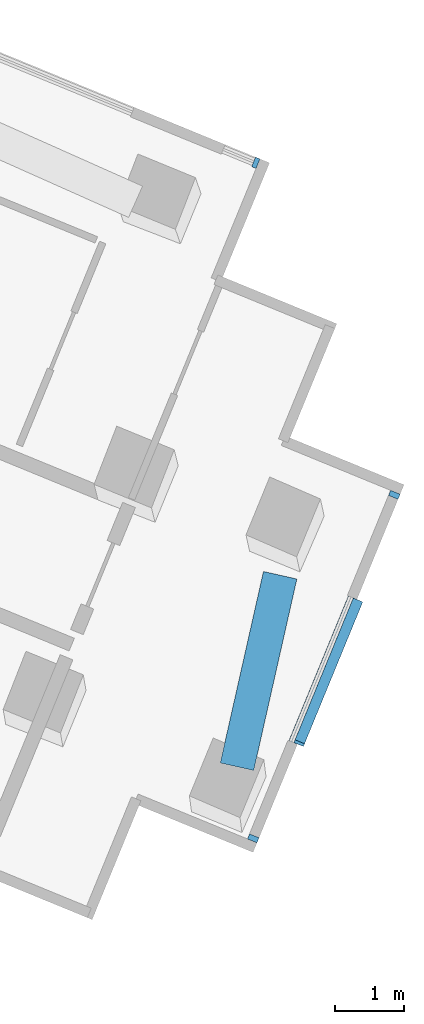
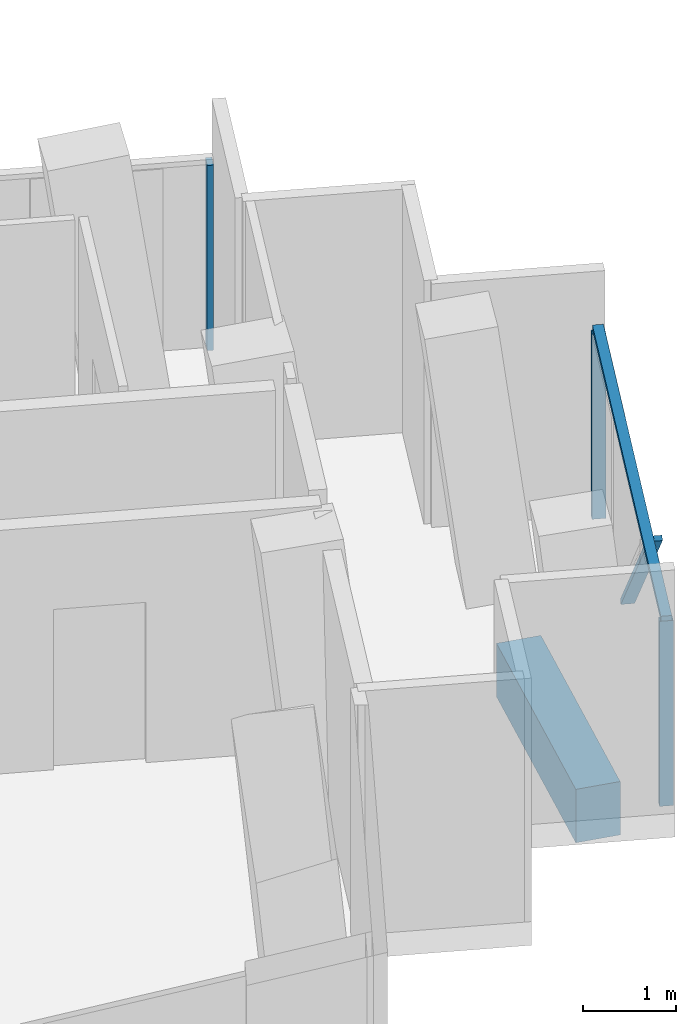
# One storey, part 11 of 27: 5 members, 1 beam, 2 elements without a shape of their own.
"""IFC4 building model written with IfcOpenShell, lengths in metres."""

from ifc_helpers import new_model, si_unit, direction, frame, origin, origin_2d, place, context, subcontext, project, spatial, rectangle, extrude, material, layer, layer_set, material_profile, profile_set, type_object, element, aggregate, save


model = new_model("IFC4")

# Units and contexts
model_context = context("Model", 3, precision=1e-05, world=origin(), true_north=direction((0.0, 1.0)))
body_context = subcontext(model_context, "Body", "Model", "MODEL_VIEW")
ifc_project = project(units=[si_unit("LENGTHUNIT", "METRE"), si_unit("AREAUNIT", "SQUARE_METRE"), si_unit("VOLUMEUNIT", "CUBIC_METRE"), si_unit("PLANEANGLEUNIT", "RADIAN"), si_unit("MASSUNIT", "GRAM", prefix="KILO")], contexts=[model_context])

# Site, building, storey
site_placement = place(None, origin())
site = spatial("IfcSite", under=ifc_project, at=site_placement, CompositionType="ELEMENT")
building_placement = place(site_placement, origin())
building = spatial("IfcBuilding", under=site, at=building_placement, Name="Verdalira Terraces Hotel", CompositionType="ELEMENT")
storey_placement = place(building_placement, frame((0.0, 0.0, 64.5)))
storey = spatial("IfcBuildingStorey", under=building, at=storey_placement, Name="L14", CompositionType="ELEMENT", Elevation=64.5)

# Curtain wall, member
ifc_material_1 = material(Name="Clear glass", Category="glass")
ifc_layer_1 = layer(ifc_material_1, 0.14990234375)
ifc_layer_set_1 = layer_set([ifc_layer_1], Name="CW2 curtain wall")
curtain_wall_type_1 = type_object("IfcCurtainWallType", Name="CW2 curtain wall", PredefinedType="NOTDEFINED", material=ifc_layer_set_1)
curtain_wall_1_placement = place(storey_placement, origin())
curtain_wall_1 = element("IfcCurtainWall", 1, at=curtain_wall_1_placement, inside=storey, type_object=curtain_wall_type_1, Name="CW2 curtain wall L14 edge 38", PredefinedType="NOTDEFINED")
ifc_material_2 = material(Name="Terracotta frame", Category="masonry")
ifc_material_profile_1 = material_profile(ifc_material_2, rectangle(XDim=0.070068, YDim=0.149902, at=origin_2d()), Name="MU 70x150")
ifc_profile_set_1 = profile_set([ifc_material_profile_1], Name="Terracotta frame")
member_type_1 = type_object("IfcMemberType", Name="CW2 mullion 70x150", PredefinedType="MULLION", material=ifc_profile_set_1)
member_1_placement = place(storey_placement, frame((33.609863, -6.852783, 0.0), z_axis=(0.0, 0.0, 1.0), x_axis=(-0.925077207, 0.379779096, 0.0)))
member_1 = element("IfcMember", 2, at=member_1_placement, type_object=member_type_1, Name="CW2 mullion", PredefinedType="MULLION", context=body_context, shape_type="SweptSolid", body=[
    extrude(rectangle(XDim=0.070068, YDim=0.149902, at=origin_2d()), origin(), (0.0, 0.0, 1.0), 2.425049),
])
aggregate(curtain_wall_1, [member_1])

# Curtain wall, members
ifc_material_3 = material(Name="Clear glass", Category="glass")
ifc_layer_2 = layer(ifc_material_3, 0.14990234375)
ifc_layer_set_2 = layer_set([ifc_layer_2], Name="CW3 curtain wall")
curtain_wall_type_2 = type_object("IfcCurtainWallType", Name="CW3 curtain wall", PredefinedType="NOTDEFINED", material=ifc_layer_set_2)
curtain_wall_2_placement = place(storey_placement, origin())
curtain_wall_2 = element("IfcCurtainWall", 3, at=curtain_wall_2_placement, inside=storey, type_object=curtain_wall_type_2, Name="CW3 curtain wall L14 edge 33", PredefinedType="NOTDEFINED")
ifc_material_4 = material(Name="Terracotta frame", Category="masonry")
ifc_material_profile_2 = material_profile(ifc_material_4, rectangle(XDim=0.080078, YDim=0.149902, at=origin_2d()), Name="MU 80x150")
ifc_profile_set_2 = profile_set([ifc_material_profile_2], Name="Terracotta frame")
member_type_2 = type_object("IfcMemberType", Name="CW3 mullion 80x150", PredefinedType="MULLION", material=ifc_profile_set_2)
member_2_placement = place(storey_placement, frame((33.572754, -16.712402, 0.0), z_axis=(0.0, 0.0, 1.0), x_axis=(0.379779096, 0.925077207, 0.0)))
member_2 = element("IfcMember", 4, at=member_2_placement, type_object=member_type_2, Name="CW3 mullion", PredefinedType="MULLION", context=body_context, shape_type="SweptSolid", body=[
    extrude(rectangle(XDim=0.080078, YDim=0.149902, at=origin_2d()), origin(), (0.0, 0.0, 1.0), 2.425049),
])
member_3_placement = place(storey_placement, frame((35.631104, -11.698486, 0.0), z_axis=(0.0, 0.0, 1.0), x_axis=(0.379779096, 0.925077207, 0.0)))
member_3 = element("IfcMember", 5, at=member_3_placement, type_object=member_type_2, Name="CW3 mullion", PredefinedType="MULLION", context=body_context, shape_type="SweptSolid", body=[
    extrude(rectangle(XDim=0.080078, YDim=0.149902, at=origin_2d()), origin(), (0.0, 0.0, 1.0), 2.425049),
])
ifc_material_5 = material(Name="Terracotta frame", Category="masonry")
ifc_material_profile_3 = material_profile(ifc_material_5, rectangle(XDim=0.120117, YDim=0.064941, at=origin_2d()), Name="TR 65x120")
ifc_profile_set_3 = profile_set([ifc_material_profile_3], Name="Terracotta frame")
member_type_3 = type_object("IfcMemberType", Name="CW3 transom 65x120", PredefinedType="USERDEFINED", material=ifc_profile_set_3)
member_4_placement = place(storey_placement, frame((33.557373, -16.749268, 2.45752), z_axis=(0.379794052, 0.925071066, 0.0), x_axis=(-0.925071066, 0.379794052, 0.0)))
member_4 = element("IfcMember", 6, at=member_4_placement, type_object=member_type_3, Name="CW3 transom", ObjectType="TRANSOM", PredefinedType="USERDEFINED", context=body_context, shape_type="SweptSolid", body=[
    extrude(rectangle(XDim=0.120117, YDim=0.064941, at=origin_2d()), origin(), (0.0, 0.0, 1.0), 5.5),
])
ifc_material_6 = material(Name="Terracotta frame", Category="masonry")
ifc_material_profile_4 = material_profile(ifc_material_6, rectangle(XDim=0.149902, YDim=0.060059, at=origin_2d()), Name="GB 60x150")
ifc_profile_set_4 = profile_set([ifc_material_profile_4], Name="Terracotta frame")
member_type_4 = type_object("IfcMemberType", Name="Diagonal glazing bar 60x150", PredefinedType="USERDEFINED", material=ifc_profile_set_4)
member_5_placement = place(storey_placement, frame((34.243652, -15.322998, 2.400391), z_axis=(0.260308082, 0.634122159, -0.728099437), x_axis=(-0.925088989, 0.379750394, 0.0)))
member_5 = element("IfcMember", 7, at=member_5_placement, type_object=member_type_4, Name="Diagonal glazing bar", ObjectType="GLAZING BAR", PredefinedType="USERDEFINED", context=body_context, shape_type="SweptSolid", body=[
    extrude(rectangle(XDim=0.149902, YDim=0.060059, at=origin_2d()), origin(), (0.0, 0.0, 1.0), 3.262939),
])
aggregate(curtain_wall_2, [member_2, member_3, member_4, member_5])

# Beam
ifc_material_7 = material(Name="Concrete C70", Category="concrete")
ifc_material_profile_5 = material_profile(ifc_material_7, rectangle(XDim=0.5, YDim=0.699951, at=origin_2d()), Name="RC 500X700")
ifc_profile_set_5 = profile_set([ifc_material_profile_5], Name="Concrete C70")
beam_type = type_object("IfcBeamType", Name="Spandrel beam RC 500X700 C70", PredefinedType="SPANDREL", material=ifc_profile_set_5)
beam_placement = place(storey_placement, frame((33.335205, -15.666504, -0.659912), z_axis=(0.2199705, 0.975506524, 0.0), x_axis=(-0.975506524, 0.2199705, 0.0)))
element("IfcBeam", 8, at=beam_placement, inside=storey, type_object=beam_type, Name="Spandrel beam B27", PredefinedType="SPANDREL", context=body_context, shape_type="SweptSolid", body=[
    extrude(rectangle(XDim=0.5, YDim=0.699951, at=origin_2d()), origin(), (0.0, 0.0, 1.0), 2.864502),
])

save(model, "model.ifc")
